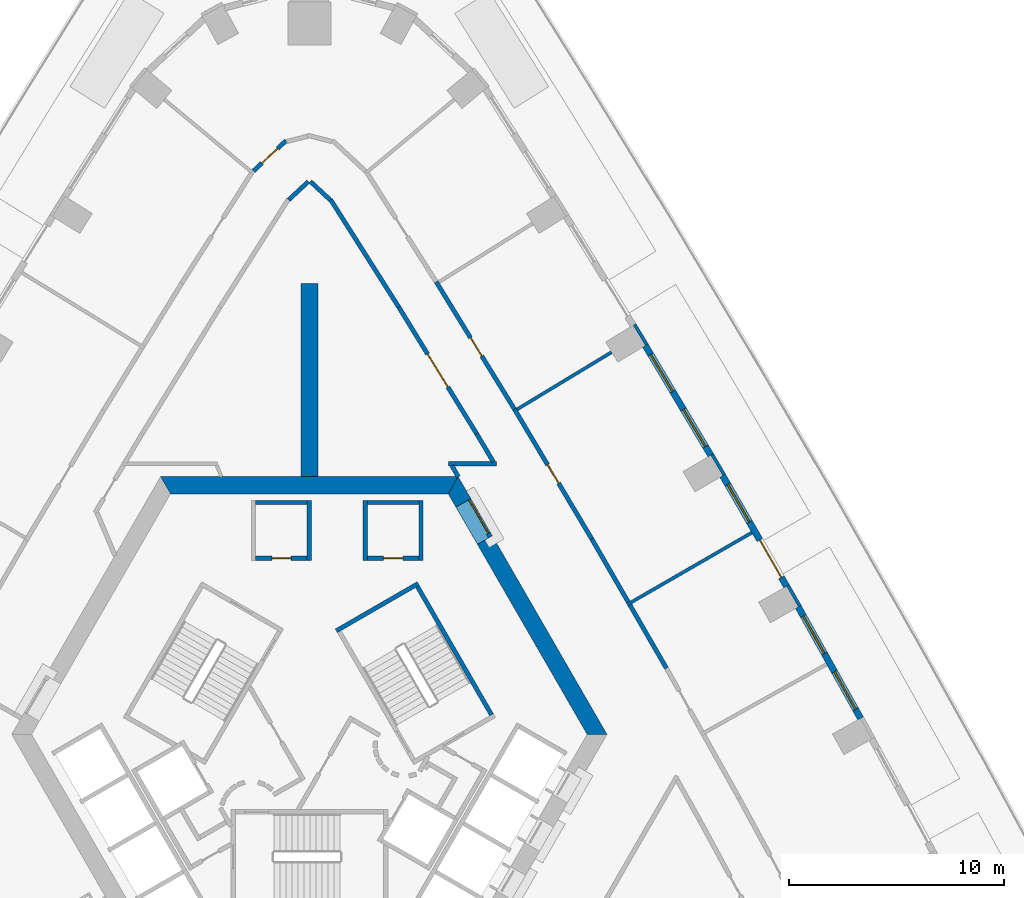
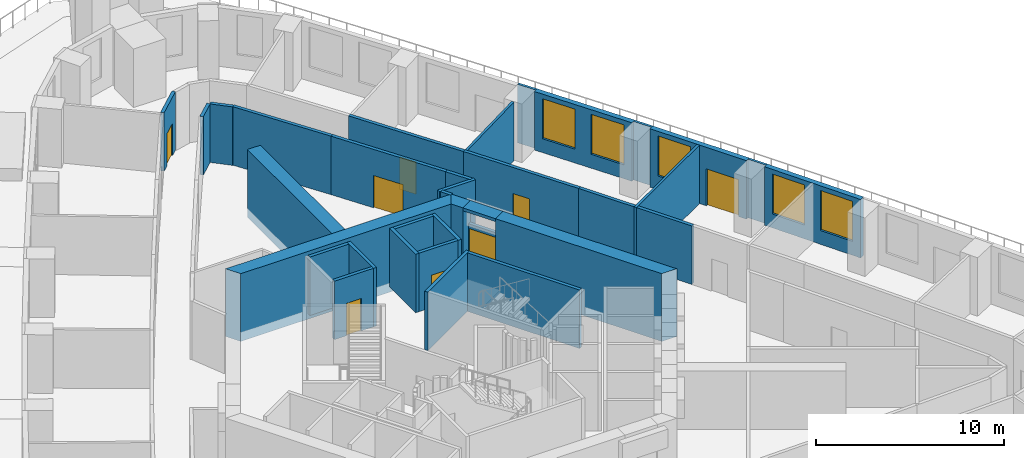
# One storey, part 10 of 16: 35 walls, 8 doors, 5 windows, 13 openings.
"""IFC4 building model written with IfcOpenShell, lengths in metres."""

from ifc_helpers import new_model, si_unit, direction, frame, frame_2d, origin, place, context, subcontext, project, spatial, polyline, rectangle, outline, extrude, material, layer, layer_set, type_object, element, fill, save


model = new_model("IFC4")

# Units and contexts
model_context = context("Model", 3, precision=1e-05, world=origin(), true_north=direction((0.0, 1.0)))
body_context = subcontext(model_context, "Body", "Model", "MODEL_VIEW")
ifc_project = project(units=[si_unit("LENGTHUNIT", "METRE"), si_unit("AREAUNIT", "SQUARE_METRE"), si_unit("VOLUMEUNIT", "CUBIC_METRE"), si_unit("PLANEANGLEUNIT", "RADIAN"), si_unit("MASSUNIT", "GRAM", prefix="KILO")], contexts=[model_context])

# Site, building, storey
site_placement = place(None, origin())
site = spatial("IfcSite", under=ifc_project, at=site_placement, CompositionType="ELEMENT")
building_placement = place(site_placement, origin())
building = spatial("IfcBuilding", under=site, at=building_placement, Name="Entoto Arch Interchange Tower", CompositionType="ELEMENT")
storey_placement = place(building_placement, frame((0.0, 0.0, 138.199951171875)))
storey = spatial("IfcBuildingStorey", under=building, at=storey_placement, Name="L30", CompositionType="ELEMENT", Elevation=138.199951171875)

# Wall
ifc_material_1 = material(Name="Concrete C50/60", Category="concrete")
ifc_layer_1 = layer(ifc_material_1, 0.800048828125)
ifc_layer_set_1 = layer_set([ifc_layer_1], Name="Concrete C50/60")
wall_type_1 = type_object("IfcWallType", Name="Buttress wall 800 C50/60", PredefinedType="SHEAR", material=ifc_layer_set_1)
wall_1_placement = place(storey_placement, frame((0.0, 14.5, -0.599853515625), z_axis=(0.0, 0.0, 1.0), x_axis=(0.0, 1.0, 0.0)))
element("IfcWall", 1, at=wall_1_placement, inside=storey, type_object=wall_type_1, Name="Buttress wall N L30", PredefinedType="SHEAR", context=body_context, shape_type="SweptSolid", body=[
    extrude(rectangle(XDim=9.0, YDim=0.800048828125, at=frame_2d((4.5, 0.0))), origin(), (0.0, 0.0, 1.0), 4.39990234375),
])

# Wall, opening, door
ifc_material_2 = material(Name="Reinforced concrete C40/50", Category="concrete")
ifc_layer_2 = layer(ifc_material_2, 0.199951171875)
ifc_layer_set_2 = layer_set([ifc_layer_2], Name="Reinforced concrete C40/50")
wall_type_2 = type_object("IfcWallType", Name="CORE GAP INFILL WALL", PredefinedType="PARTITIONING", material=ifc_layer_set_2)
wall_2_placement = place(storey_placement, frame((8.429931640625, 11.697998046875, 0.0), z_axis=(0.0, 0.0, 1.0), x_axis=(-0.50002537861, 0.866010750942, 0.0)))
wall_2 = element("IfcWall", 2, at=wall_2_placement, inside=storey, type_object=wall_type_2, Name="wall:L30:gap2", PredefinedType="PARTITIONING", context=body_context, shape_type="SweptSolid", body=[
    extrude(rectangle(XDim=2.0, YDim=0.199951171875, at=frame_2d((1.0, 0.0))), origin(), (0.0, 0.0, 1.0), 2.400146484375),
])
opening_1_placement = place(wall_2_placement, frame((0.18994140625, 0.0, 0.0)))
opening_1 = element("IfcOpeningElement", 3, at=opening_1_placement, cuts=wall_2, Name="Opening L30-D92", PredefinedType="OPENING", context=body_context, shape_type="SweptSolid", body=[
    extrude(rectangle(XDim=1.800048828125, YDim=2.10009765625, at=frame_2d((0.89990234375, 1.050048828125))), frame((0.0, 0.10986328125, 0.0), z_axis=(0.0, -1.0, 0.0), x_axis=(1.0, 0.0, 0.0)), (0.0, 0.0, 1.0), 0.219970703125),
])
ifc_material_3 = material(Name="Fire-rated Steel S235 door and frame", Category="steel")
door_type_1 = type_object("IfcDoorType", Name="DOOR FD-18 1800x2100", OperationType="DOUBLE_DOOR_SINGLE_SWING", PredefinedType="DOOR", material=ifc_material_3)
door_1_placement = place(opening_1_placement, origin())
door_1 = element("IfcDoor", 4, at=door_1_placement, inside=storey, type_object=door_type_1, Name="door:L30:gap2", OperationType="DOUBLE_DOOR_SINGLE_SWING", OverallHeight=2.10009765625, OverallWidth=1.800048828125, PredefinedType="DOOR", context=body_context, shape_type="SweptSolid", body=[
    extrude(rectangle(XDim=1.800048828125, YDim=2.10009765625, at=frame_2d((0.89990234375, 1.050048828125))), frame((0.0, 0.02490234375, 0.0), z_axis=(0.0, -1.0, 0.0), x_axis=(1.0, 0.0, 0.0)), (0.0, 0.0, 1.0), 0.050048828125),
])
fill(opening_1, door_1)

# Walls
ifc_layer_3 = layer(ifc_material_1, 0.800048828125)
ifc_layer_set_3 = layer_set([ifc_layer_3], Name="Concrete C50/60")
wall_type_3 = type_object("IfcWallType", Name="Core wall 800 C50/60", PredefinedType="SHEAR", material=ifc_layer_set_3)
wall_3_placement = place(storey_placement, frame((0.0, 0.0, -0.599853515625)))
element("IfcWall", 5, at=wall_3_placement, inside=storey, type_object=wall_type_3, Name="Core wall NE L30", PredefinedType="SHEAR", context=body_context, shape_type="SweptSolid", body=[
    extrude(outline(polyline([(8.51708984375, 11.748046875), (7.823974609375, 11.347900390625), (12.93310546875, 2.5), (13.85595703125, 2.5), (8.51708984375, 11.748046875)])), origin(), (0.0, 0.0, 1.0), 4.39990234375),
])
wall_4_placement = place(storey_placement, frame((0.0, 0.0, -0.599853515625)))
element("IfcWall", 6, at=wall_4_placement, inside=storey, type_object=wall_type_3, Name="Core wall NE L30", PredefinedType="SHEAR", context=body_context, shape_type="SweptSolid", body=[
    extrude(outline(polyline([(6.823974609375, 13.080078125), (7.51708984375, 13.47998046875), (6.927978515625, 14.5), (6.466064453125, 13.699951171875), (6.823974609375, 13.080078125)])), origin(), (0.0, 0.0, 1.0), 4.39990234375),
])
wall_5_placement = place(storey_placement, frame((0.0, 0.0, 3.60009765625)))
element("IfcWall", 7, at=wall_5_placement, inside=storey, type_object=wall_type_3, Name="Core wall lintel NE L30", PredefinedType="SHEAR", context=body_context, shape_type="SweptSolid", body=[
    extrude(outline(polyline([(7.51708984375, 13.47998046875), (6.823974609375, 13.080078125), (7.823974609375, 11.347900390625), (8.51708984375, 11.748046875), (7.51708984375, 13.47998046875)])), origin(), (0.0, 0.0, 1.0), 0.199951171875),
])
wall_6_placement = place(storey_placement, frame((0.0, 0.0, -0.599853515625)))
element("IfcWall", 8, at=wall_6_placement, inside=storey, type_object=wall_type_3, Name="Core wall N L30", PredefinedType="SHEAR", context=body_context, shape_type="SweptSolid", body=[
    extrude(outline(polyline([(6.927978515625, 14.5), (-6.927978515625, 14.5), (-6.466064453125, 13.699951171875), (6.466064453125, 13.699951171875), (6.927978515625, 14.5)])), origin(), (0.0, 0.0, 1.0), 4.39990234375),
])
ifc_material_4 = material(Name="Gypsum board partition on steel studs", Category="steel")
ifc_layer_4 = layer(ifc_material_4, 0.14990234375)
ifc_layer_set_4 = layer_set([ifc_layer_4], Name="Gypsum board partition on steel studs")
wall_type_4 = type_object("IfcWallType", Name="PARTITION 150", PredefinedType="PARTITIONING", material=ifc_layer_set_4)
wall_7_placement = place(storey_placement, frame((14.798095703125, 8.5439453125, 0.0), z_axis=(0.0, 0.0, 1.0), x_axis=(0.866041788654, 0.4999716195, 0.0)))
element("IfcWall", 9, at=wall_7_placement, inside=storey, type_object=wall_type_4, Name="wall:L30:p128", PredefinedType="PARTITIONING", context=body_context, shape_type="SweptSolid", body=[
    extrude(rectangle(XDim=6.70068359375, YDim=0.14990234375, at=frame_2d((3.350341796875, 0.0))), origin(), (0.0, 0.0, 1.0), 3.800048828125),
])
wall_8_placement = place(storey_placement, frame((9.6708984375, 17.633056640625, 0.0), z_axis=(0.0, 0.0, 1.0), x_axis=(0.855551112805, 0.517718353332, 0.0)))
element("IfcWall", 10, at=wall_8_placement, inside=storey, type_object=wall_type_4, Name="wall:L30:p129", PredefinedType="PARTITIONING", context=body_context, shape_type="SweptSolid", body=[
    extrude(rectangle(XDim=5.130126953125, YDim=0.14990234375, at=frame_2d((2.56494140625, 0.0))), origin(), (0.0, 0.0, 1.0), 3.800048828125),
])
ifc_layer_5 = layer(ifc_material_4, 0.199951171875)
ifc_layer_set_5 = layer_set([ifc_layer_5], Name="Gypsum board partition on steel studs")
wall_type_5 = type_object("IfcWallType", Name="PARTITION 200", PredefinedType="PARTITIONING", material=ifc_layer_set_5)
wall_9_placement = place(storey_placement, frame((6.93701171875, 14.488037109375, 0.0), z_axis=(0.0, 0.0, 1.0), x_axis=(-0.499908430952, 0.866078264744, 0.0)))
element("IfcWall", 11, at=wall_9_placement, inside=storey, type_object=wall_type_5, Name="wall:L30:p003", PredefinedType="PARTITIONING", context=body_context, shape_type="SweptSolid", body=[
    extrude(rectangle(XDim=0.60595703125, YDim=0.199951171875, at=frame_2d((0.302978515625, 0.0))), origin(), (0.0, 0.0, 1.0), 3.800048828125),
])
wall_10_placement = place(storey_placement, frame((6.48388671875, 15.10009765625, 0.0), z_axis=(0.0, 0.0, 1.0), x_axis=(1.0, 0.0, 0.0)))
element("IfcWall", 12, at=wall_10_placement, inside=storey, type_object=wall_type_5, Name="wall:L30:p004", PredefinedType="PARTITIONING", context=body_context, shape_type="SweptSolid", body=[
    extrude(rectangle(XDim=2.236083984375, YDim=0.199951171875, at=frame_2d((1.1181640625, 0.0))), origin(), (0.0, 0.0, 1.0), 3.800048828125),
])
wall_11_placement = place(storey_placement, frame((8.569091796875, 15.18603515625, 0.0), z_axis=(0.0, 0.0, 1.0), x_axis=(-0.512230585803, 0.85884796499, 0.0)))
element("IfcWall", 13, at=wall_11_placement, inside=storey, type_object=wall_type_5, Name="wall:L30:p005", PredefinedType="PARTITIONING", context=body_context, shape_type="SweptSolid", body=[
    extrude(rectangle(XDim=1.522705078125, YDim=0.199951171875, at=frame_2d((0.76123046875, 0.0))), origin(), (0.0, 0.0, 1.0), 3.800048828125),
])

# Wall, opening, door
wall_12_placement = place(storey_placement, frame((7.7890625, 16.493896484375, 0.0), z_axis=(0.0, 0.0, 1.0), x_axis=(-0.523625371849, 0.851948631055, 0.0)))
wall_12 = element("IfcWall", 14, at=wall_12_placement, inside=storey, type_object=wall_type_5, Name="wall:L30:p006", PredefinedType="PARTITIONING", context=body_context, shape_type="SweptSolid", body=[
    extrude(rectangle(XDim=6.926513671875, YDim=0.199951171875, at=frame_2d((3.46337890625, 0.0))), origin(), (0.0, 0.0, 1.0), 3.800048828125),
])
opening_2_placement = place(wall_12_placement, frame((2.56396484375, 0.0, 0.0)))
opening_2 = element("IfcOpeningElement", 15, at=opening_2_placement, cuts=wall_12, Name="Opening L30-D23", PredefinedType="OPENING", context=body_context, shape_type="SweptSolid", body=[
    extrude(rectangle(XDim=1.800048828125, YDim=2.10009765625, at=frame_2d((0.89990234375, 1.050048828125))), frame((0.0, 0.10986328125, 0.0), z_axis=(0.0, -1.0, 0.0), x_axis=(1.0, 0.0, 0.0)), (0.0, 0.0, 1.0), 0.219970703125),
])
ifc_material_5 = material(Name="Timber door leaf in Steel S235 frame", Category="steel")
door_type_2 = type_object("IfcDoorType", Name="DOOR DD-18 1800x2100", OperationType="DOUBLE_DOOR_SINGLE_SWING", PredefinedType="DOOR", material=ifc_material_5)
door_2_placement = place(opening_2_placement, origin())
door_2 = element("IfcDoor", 16, at=door_2_placement, inside=storey, type_object=door_type_2, Name="door:L30:23", OperationType="DOUBLE_DOOR_SINGLE_SWING", OverallHeight=2.10009765625, OverallWidth=1.800048828125, PredefinedType="DOOR", context=body_context, shape_type="SweptSolid", body=[
    extrude(rectangle(XDim=1.800048828125, YDim=2.10009765625, at=frame_2d((0.89990234375, 1.050048828125))), frame((0.0, 0.02490234375, 0.0), z_axis=(0.0, -1.0, 0.0), x_axis=(1.0, 0.0, 0.0)), (0.0, 0.0, 1.0), 0.050048828125),
])
fill(opening_2, door_2)

# Walls
wall_13_placement = place(storey_placement, frame((4.162109375, 22.39501953125, 0.0), z_axis=(0.0, 0.0, 1.0), x_axis=(-0.535496886312, 0.844537201519, 0.0)))
element("IfcWall", 17, at=wall_13_placement, inside=storey, type_object=wall_type_5, Name="wall:L30:p007", PredefinedType="PARTITIONING", context=body_context, shape_type="SweptSolid", body=[
    extrude(rectangle(XDim=5.92724609375, YDim=0.199951171875, at=frame_2d((2.963623046875, 0.0))), origin(), (0.0, 0.0, 1.0), 3.800048828125),
])
for number, where, z_axis, x_axis, name in (
    (18, (0.968017578125, 27.385009765625, 0.0), (0.0, 0.0, 1.0), (-0.732524038911, 0.680741164039, 0.0), "wall:L30:p008"),
    (19, (-0.0458984375, 28.241943359375, 0.0), (0.0, 0.0, 1.0), (-0.732524038911, -0.680741164039, 0.0), "wall:L30:p009"),
):
    element("IfcWall", number, at=place(storey_placement, frame(where, z_axis=z_axis, x_axis=x_axis)), inside=storey, type_object=wall_type_5, Name=name, PredefinedType="PARTITIONING", context=body_context, shape_type="SweptSolid", body=[
        extrude(rectangle(XDim=1.2587890625, YDim=0.199951171875, at=frame_2d((0.62939453125, 0.0))), origin(), (0.0, 0.0, 1.0), 3.800048828125),
    ])
wall_14_placement = place(storey_placement, frame((14.922119140625, 8.529052734375, 0.0), z_axis=(0.0, 0.0, 1.0), x_axis=(0.500097109062, -0.865969330582, 0.0)))
element("IfcWall", 20, at=wall_14_placement, inside=storey, type_object=wall_type_5, Name="wall:L30:p041", PredefinedType="PARTITIONING", context=body_context, shape_type="SweptSolid", body=[
    extrude(rectangle(XDim=3.403076171875, YDim=0.199951171875, at=frame_2d((1.70166015625, 0.0))), origin(), (0.0, 0.0, 1.0), 3.800048828125),
])

# Wall, opening, door
wall_15_placement = place(storey_placement, frame((9.548095703125, 17.64501953125, 0.0), z_axis=(0.0, 0.0, 1.0), x_axis=(0.511822081848, -0.859091471575, 0.0)))
wall_15 = element("IfcWall", 21, at=wall_15_placement, inside=storey, type_object=wall_type_5, Name="wall:L30:p043", PredefinedType="PARTITIONING", context=body_context, shape_type="SweptSolid", body=[
    extrude(rectangle(XDim=7.029541015625, YDim=0.199951171875, at=frame_2d((3.5146484375, 0.0))), origin(), (0.0, 0.0, 1.0), 3.800048828125),
])
opening_3_placement = place(wall_15_placement, frame((3.014892578125, 0.0, 0.0)))
opening_3 = element("IfcOpeningElement", 22, at=opening_3_placement, cuts=wall_15, Name="Opening L30-D07", PredefinedType="OPENING", context=body_context, shape_type="SweptSolid", body=[
    extrude(rectangle(XDim=1.0, YDim=2.10009765625, at=frame_2d((0.5, 1.050048828125))), frame((0.0, 0.10986328125, 0.0), z_axis=(0.0, -1.0, 0.0), x_axis=(1.0, 0.0, 0.0)), (0.0, 0.0, 1.0), 0.219970703125),
])
door_type_3 = type_object("IfcDoorType", Name="DOOR DS-10 1000x2100", OperationType="SINGLE_SWING_LEFT", PredefinedType="DOOR", material=ifc_material_5)
door_3_placement = place(opening_3_placement, origin())
door_3 = element("IfcDoor", 23, at=door_3_placement, inside=storey, type_object=door_type_3, Name="door:L30:07", OperationType="SINGLE_SWING_RIGHT", OverallHeight=2.10009765625, OverallWidth=1.0, PredefinedType="DOOR", context=body_context, shape_type="SweptSolid", body=[
    extrude(rectangle(XDim=1.0, YDim=2.10009765625, at=frame_2d((0.5, 1.050048828125))), frame((0.0, 0.02490234375, 0.0), z_axis=(0.0, -1.0, 0.0), x_axis=(1.0, 0.0, 0.0)), (0.0, 0.0, 1.0), 0.050048828125),
])
fill(opening_3, door_3)

# Wall
wall_16_placement = place(storey_placement, frame((13.14599609375, 11.60595703125, 0.0), z_axis=(0.0, 0.0, 1.0), x_axis=(0.499881871653, -0.866093594476, 0.0)))
element("IfcWall", 24, at=wall_16_placement, inside=storey, type_object=wall_type_5, Name="wall:L30:p044", PredefinedType="PARTITIONING", context=body_context, shape_type="SweptSolid", body=[
    extrude(rectangle(XDim=3.402587890625, YDim=0.199951171875, at=frame_2d((1.701171875, 0.0))), origin(), (0.0, 0.0, 1.0), 3.800048828125),
])

# Wall, opening, door
wall_17_placement = place(storey_placement, frame((5.904052734375, 23.571044921875, 0.0), z_axis=(0.0, 0.0, 1.0), x_axis=(0.523647026552, -0.851935321244, 0.0)))
wall_17 = element("IfcWall", 25, at=wall_17_placement, inside=storey, type_object=wall_type_5, Name="wall:L30:p045", PredefinedType="PARTITIONING", context=body_context, shape_type="SweptSolid", body=[
    extrude(rectangle(XDim=6.95703125, YDim=0.199951171875, at=frame_2d((3.478515625, 0.0))), origin(), (0.0, 0.0, 1.0), 3.800048828125),
])
opening_4_placement = place(wall_17_placement, frame((3.052978515625, 0.0, 0.0)))
opening_4 = element("IfcOpeningElement", 26, at=opening_4_placement, cuts=wall_17, Name="Opening L30-D08", PredefinedType="OPENING", context=body_context, shape_type="SweptSolid", body=[
    extrude(rectangle(XDim=1.0, YDim=2.10009765625, at=frame_2d((0.5, 1.050048828125))), frame((0.0, 0.10986328125, 0.0), z_axis=(0.0, -1.0, 0.0), x_axis=(1.0, 0.0, 0.0)), (0.0, 0.0, 1.0), 0.219970703125),
])
door_4_placement = place(opening_4_placement, origin())
door_4 = element("IfcDoor", 27, at=door_4_placement, inside=storey, type_object=door_type_3, Name="door:L30:08", OperationType="SINGLE_SWING_LEFT", OverallHeight=2.10009765625, OverallWidth=1.0, PredefinedType="DOOR", context=body_context, shape_type="SweptSolid", body=[
    extrude(rectangle(XDim=1.0, YDim=2.10009765625, at=frame_2d((0.5, 1.050048828125))), frame((0.0, 0.02490234375, 0.0), z_axis=(0.0, -1.0, 0.0), x_axis=(1.0, 0.0, 0.0)), (0.0, 0.0, 1.0), 0.050048828125),
])
fill(opening_4, door_4)

wall_18_placement = place(storey_placement, frame((-2.596923828125, 28.738037109375, 0.0), z_axis=(0.0, 0.0, 1.0), x_axis=(0.73206471367, 0.681235095249, 0.0)))
wall_18 = element("IfcWall", 28, at=wall_18_placement, inside=storey, type_object=wall_type_5, Name="wall:L30:p047", PredefinedType="PARTITIONING", context=body_context, shape_type="SweptSolid", body=[
    extrude(rectangle(XDim=2.0654296875, YDim=0.199951171875, at=frame_2d((1.03271484375, 0.0))), origin(), (0.0, 0.0, 1.0), 3.800048828125),
])
opening_5_placement = place(wall_18_placement, frame((0.531982421875, 0.0, 0.0)))
opening_5 = element("IfcOpeningElement", 29, at=opening_5_placement, cuts=wall_18, Name="Opening L30-D10", PredefinedType="OPENING", context=body_context, shape_type="SweptSolid", body=[
    extrude(rectangle(XDim=1.0, YDim=2.10009765625, at=frame_2d((0.5, 1.050048828125))), frame((0.0, 0.10986328125, 0.0), z_axis=(0.0, -1.0, 0.0), x_axis=(1.0, 0.0, 0.0)), (0.0, 0.0, 1.0), 0.219970703125),
])
door_5_placement = place(opening_5_placement, origin())
door_5 = element("IfcDoor", 30, at=door_5_placement, inside=storey, type_object=door_type_3, Name="door:L30:10", OperationType="SINGLE_SWING_LEFT", OverallHeight=2.10009765625, OverallWidth=1.0, PredefinedType="DOOR", context=body_context, shape_type="SweptSolid", body=[
    extrude(rectangle(XDim=1.0, YDim=2.10009765625, at=frame_2d((0.5, 1.050048828125))), frame((0.0, 0.02490234375, 0.0), z_axis=(0.0, -1.0, 0.0), x_axis=(1.0, 0.0, 0.0)), (0.0, 0.0, 1.0), 0.050048828125),
])
fill(opening_5, door_5)

# Wall
wall_19_placement = place(storey_placement, frame((5.199951171875, 13.39990234375, 0.0), z_axis=(0.0, 0.0, 1.0), x_axis=(0.0, -1.0, 0.0)))
element("IfcWall", 31, at=wall_19_placement, inside=storey, type_object=wall_type_5, Name="wall:L30:p066", PredefinedType="PARTITIONING", context=body_context, shape_type="SweptSolid", body=[
    extrude(rectangle(XDim=2.7998046875, YDim=0.199951171875, at=frame_2d((1.39990234375, 0.0))), origin(), (0.0, 0.0, 1.0), 3.800048828125),
])

# Wall, opening, door
wall_20_placement = place(storey_placement, frame((5.10009765625, 10.699951171875, 0.0), z_axis=(0.0, 0.0, 1.0), x_axis=(-1.0, 0.0, 0.0)))
wall_20 = element("IfcWall", 32, at=wall_20_placement, inside=storey, type_object=wall_type_5, Name="wall:L30:p067", PredefinedType="PARTITIONING", context=body_context, shape_type="SweptSolid", body=[
    extrude(rectangle(XDim=2.400146484375, YDim=0.199951171875, at=frame_2d((1.2001953125, 0.0))), origin(), (0.0, 0.0, 1.0), 3.800048828125),
])
opening_6_placement = place(wall_20_placement, frame((0.75, 0.0, 0.0)))
opening_6 = element("IfcOpeningElement", 33, at=opening_6_placement, cuts=wall_20, Name="Opening L30-D33", PredefinedType="OPENING", context=body_context, shape_type="SweptSolid", body=[
    extrude(rectangle(XDim=0.89990234375, YDim=2.10009765625, at=frame_2d((0.449951171875, 1.050048828125))), frame((0.0, 0.10986328125, 0.0), z_axis=(0.0, -1.0, 0.0), x_axis=(1.0, 0.0, 0.0)), (0.0, 0.0, 1.0), 0.219970703125),
])
door_type_4 = type_object("IfcDoorType", Name="DOOR DS-09 900x2100", OperationType="SINGLE_SWING_LEFT", PredefinedType="DOOR", material=ifc_material_5)
door_6_placement = place(opening_6_placement, origin())
door_6 = element("IfcDoor", 34, at=door_6_placement, inside=storey, type_object=door_type_4, Name="door:L30:33", OperationType="SINGLE_SWING_RIGHT", OverallHeight=2.10009765625, OverallWidth=0.89990234375, PredefinedType="DOOR", context=body_context, shape_type="SweptSolid", body=[
    extrude(rectangle(XDim=0.89990234375, YDim=2.10009765625, at=frame_2d((0.449951171875, 1.050048828125))), frame((0.0, 0.02490234375, 0.0), z_axis=(0.0, -1.0, 0.0), x_axis=(1.0, 0.0, 0.0)), (0.0, 0.0, 1.0), 0.050048828125),
])
fill(opening_6, door_6)

# Walls
wall_21_placement = place(storey_placement, frame((2.60009765625, 10.60009765625, 0.0), z_axis=(0.0, 0.0, 1.0), x_axis=(0.0, 1.0, 0.0)))
element("IfcWall", 35, at=wall_21_placement, inside=storey, type_object=wall_type_5, Name="wall:L30:p068", PredefinedType="PARTITIONING", context=body_context, shape_type="SweptSolid", body=[
    extrude(rectangle(XDim=2.7998046875, YDim=0.199951171875, at=frame_2d((1.39990234375, 0.0))), origin(), (0.0, 0.0, 1.0), 3.800048828125),
])
wall_22_placement = place(storey_placement, frame((2.699951171875, 13.300048828125, 0.0), z_axis=(0.0, 0.0, 1.0), x_axis=(1.0, 0.0, 0.0)))
element("IfcWall", 36, at=wall_22_placement, inside=storey, type_object=wall_type_5, Name="wall:L30:p069", PredefinedType="PARTITIONING", context=body_context, shape_type="SweptSolid", body=[
    extrude(rectangle(XDim=2.400146484375, YDim=0.199951171875, at=frame_2d((1.2001953125, 0.0))), origin(), (0.0, 0.0, 1.0), 3.800048828125),
])
wall_23_placement = place(storey_placement, frame((0.0, 13.39990234375, 0.0), z_axis=(0.0, 0.0, 1.0), x_axis=(0.0, -1.0, 0.0)))
element("IfcWall", 37, at=wall_23_placement, inside=storey, type_object=wall_type_5, Name="wall:L30:p070", PredefinedType="PARTITIONING", context=body_context, shape_type="SweptSolid", body=[
    extrude(rectangle(XDim=2.7998046875, YDim=0.199951171875, at=frame_2d((1.39990234375, 0.0))), origin(), (0.0, 0.0, 1.0), 3.800048828125),
])

# Wall, opening, door
wall_24_placement = place(storey_placement, frame((-0.10009765625, 10.699951171875, 0.0), z_axis=(0.0, 0.0, 1.0), x_axis=(-1.0, 0.0, 0.0)))
wall_24 = element("IfcWall", 38, at=wall_24_placement, inside=storey, type_object=wall_type_5, Name="wall:L30:p071", PredefinedType="PARTITIONING", context=body_context, shape_type="SweptSolid", body=[
    extrude(rectangle(XDim=2.39990234375, YDim=0.199951171875, at=frame_2d((1.199951171875, 0.0))), origin(), (0.0, 0.0, 1.0), 3.800048828125),
])
opening_7_placement = place(wall_24_placement, frame((0.75, 0.0, 0.0)))
opening_7 = element("IfcOpeningElement", 39, at=opening_7_placement, cuts=wall_24, Name="Opening L30-D34", PredefinedType="OPENING", context=body_context, shape_type="SweptSolid", body=[
    extrude(rectangle(XDim=0.89990234375, YDim=2.10009765625, at=frame_2d((0.449951171875, 1.050048828125))), frame((0.0, 0.10986328125, 0.0), z_axis=(0.0, -1.0, 0.0), x_axis=(1.0, 0.0, 0.0)), (0.0, 0.0, 1.0), 0.219970703125),
])
door_7_placement = place(opening_7_placement, origin())
door_7 = element("IfcDoor", 40, at=door_7_placement, inside=storey, type_object=door_type_4, Name="door:L30:34", OperationType="SINGLE_SWING_RIGHT", OverallHeight=2.10009765625, OverallWidth=0.89990234375, PredefinedType="DOOR", context=body_context, shape_type="SweptSolid", body=[
    extrude(rectangle(XDim=0.89990234375, YDim=2.10009765625, at=frame_2d((0.449951171875, 1.050048828125))), frame((0.0, 0.02490234375, 0.0), z_axis=(0.0, -1.0, 0.0), x_axis=(1.0, 0.0, 0.0)), (0.0, 0.0, 1.0), 0.050048828125),
])
fill(opening_7, door_7)

# Walls
wall_25_placement = place(storey_placement, frame((-2.5, 13.300048828125, 0.0), z_axis=(0.0, 0.0, 1.0), x_axis=(1.0, 0.0, 0.0)))
element("IfcWall", 41, at=wall_25_placement, inside=storey, type_object=wall_type_5, Name="wall:L30:p073", PredefinedType="PARTITIONING", context=body_context, shape_type="SweptSolid", body=[
    extrude(rectangle(XDim=2.39990234375, YDim=0.199951171875, at=frame_2d((1.199951171875, 0.0))), origin(), (0.0, 0.0, 1.0), 3.800048828125),
])
ifc_material_6 = material(Name="Concrete C40/50", Category="concrete")
ifc_layer_6 = layer(ifc_material_6, 0.199951171875)
ifc_layer_set_6 = layer_set([ifc_layer_6], Name="Concrete C40/50")
wall_type_6 = type_object("IfcWallType", Name="STAIR ENCLOSURE WALL 200", PredefinedType="STANDARD", material=ifc_layer_set_6)
wall_26_placement = place(storey_placement, frame((1.256103515625, 7.323974609375, 0.0), z_axis=(0.0, 0.0, 1.0), x_axis=(0.866046073146, 0.499964197906, 0.0)))
element("IfcWall", 42, at=wall_26_placement, inside=storey, type_object=wall_type_6, Name="Stair wall ST-NE far", PredefinedType="STANDARD", context=body_context, shape_type="SweptSolid", body=[
    extrude(rectangle(XDim=4.400146484375, YDim=0.199951171875, at=frame_2d((2.2001953125, 0.0))), origin(), (0.0, 0.0, 1.0), 3.800048828125),
])
wall_27_placement = place(storey_placement, frame((8.47998046875, 3.412109375, 0.0), z_axis=(0.0, 0.0, 1.0), x_axis=(-0.499978703459, 0.866037698999, 0.0)))
element("IfcWall", 43, at=wall_27_placement, inside=storey, type_object=wall_type_6, Name="Stair wall ST-NE back", PredefinedType="STANDARD", context=body_context, shape_type="SweptSolid", body=[
    extrude(rectangle(XDim=6.900146484375, YDim=0.199951171875, at=frame_2d((3.4501953125, 0.0))), origin(), (0.0, 0.0, 1.0), 3.800048828125),
])

# Wall, openings, windows
ifc_material_7 = material(Name="Welded tuff (ignimbrite) cladding, warm buff", Category="masonry")
ifc_layer_7 = layer(ifc_material_7, 0.300048828125)
ifc_layer_set_7 = layer_set([ifc_layer_7], Name="Welded tuff (ignimbrite) cladding, warm buff")
wall_type_7 = type_object("IfcWallType", Name="STONE INFILL WALL 300", PredefinedType="STANDARD", material=ifc_layer_set_7)
wall_28_placement = place(storey_placement, frame((25.6650390625, 3.243896484375, 0.0), z_axis=(0.0, 0.0, 1.0), x_axis=(-0.488009846284, 0.872838123555, 0.0)))
wall_28 = element("IfcWall", 44, at=wall_28_placement, inside=storey, type_object=wall_type_7, Name="Facade wall NE-03 L30", PredefinedType="STANDARD", context=body_context, shape_type="SweptSolid", body=[
    extrude(rectangle(XDim=5.950927734375, YDim=0.300048828125, at=frame_2d((2.9755859375, 0.0))), origin(), (0.0, 0.0, 1.0), 3.800048828125),
])
opening_8_placement = place(wall_28_placement, frame((0.488037109375, 0.0, 0.89990234375)))
opening_8 = element("IfcOpeningElement", 45, at=opening_8_placement, cuts=wall_28, Name="Opening WO-C", PredefinedType="OPENING", context=body_context, shape_type="SweptSolid", body=[
    extrude(rectangle(XDim=2.0, YDim=2.60009765625, at=frame_2d((1.0, 1.300048828125))), frame((0.0, 0.16015625, 0.0), z_axis=(0.0, -1.0, 0.0), x_axis=(1.0, 0.0, 0.0)), (0.0, 0.0, 1.0), 0.320068359375),
])
opening_9_placement = place(wall_28_placement, frame((3.462890625, 0.0, 0.89990234375)))
opening_9 = element("IfcOpeningElement", 46, at=opening_9_placement, cuts=wall_28, Name="Opening WO-C", PredefinedType="OPENING", context=body_context, shape_type="SweptSolid", body=[
    extrude(rectangle(XDim=2.0, YDim=2.60009765625, at=frame_2d((1.0, 1.300048828125))), frame((0.0, 0.16015625, 0.0), z_axis=(0.0, -1.0, 0.0), x_axis=(1.0, 0.0, 0.0)), (0.0, 0.0, 1.0), 0.320068359375),
])
ifc_material_8 = material(Name="Clear glass, low-e double glazed", Category="glass")
window_type = type_object("IfcWindowType", Name="WINDOW WO-C 2000x2600", PartitioningType="DOUBLE_PANEL_VERTICAL", PredefinedType="WINDOW", material=ifc_material_8)
window_1_placement = place(opening_8_placement, origin())
window_1 = element("IfcWindow", 47, at=window_1_placement, inside=storey, type_object=window_type, Name="Window WO-C NE-03 L30", OverallHeight=2.60009765625, OverallWidth=2.0, PartitioningType="SINGLE_PANEL", PredefinedType="WINDOW", context=body_context, shape_type="SweptSolid", body=[
    extrude(rectangle(XDim=2.0, YDim=2.60009765625, at=frame_2d((1.0, 1.300048828125))), frame((0.0, 0.030029296875, 0.0), z_axis=(0.0, -1.0, 0.0), x_axis=(1.0, 0.0, 0.0)), (0.0, 0.0, 1.0), 0.06005859375),
])
fill(opening_8, window_1)
window_2_placement = place(opening_9_placement, origin())
window_2 = element("IfcWindow", 48, at=window_2_placement, inside=storey, type_object=window_type, Name="Window WO-C NE-03 L30", OverallHeight=2.60009765625, OverallWidth=2.0, PartitioningType="SINGLE_PANEL", PredefinedType="WINDOW", context=body_context, shape_type="SweptSolid", body=[
    extrude(rectangle(XDim=2.0, YDim=2.60009765625, at=frame_2d((1.0, 1.300048828125))), frame((0.0, 0.030029296875, 0.0), z_axis=(0.0, -1.0, 0.0), x_axis=(1.0, 0.0, 0.0)), (0.0, 0.0, 1.0), 0.06005859375),
])
fill(opening_9, window_2)

# Wall, openings, door, window
wall_29_placement = place(storey_placement, frame((22.218017578125, 9.39208984375, 0.0), z_axis=(0.0, 0.0, 1.0), x_axis=(-0.49994263896, 0.866058518664, 0.0)))
wall_29 = element("IfcWall", 49, at=wall_29_placement, inside=storey, type_object=wall_type_7, Name="Facade wall NE-04 L30", PredefinedType="STANDARD", context=body_context, shape_type="SweptSolid", body=[
    extrude(rectangle(XDim=5.950927734375, YDim=0.300048828125, at=frame_2d((2.9755859375, 0.0))), origin(), (0.0, 0.0, 1.0), 3.800048828125),
])
opening_10_placement = place(wall_29_placement, frame((0.488037109375, 0.0, 0.0)))
opening_10 = element("IfcOpeningElement", 50, at=opening_10_placement, cuts=wall_29, Name="Opening DT-NE-04-L30", PredefinedType="OPENING", context=body_context, shape_type="SweptSolid", body=[
    extrude(rectangle(XDim=2.0, YDim=2.39990234375, at=frame_2d((1.0, 1.199951171875))), frame((0.0, 0.16015625, 0.0), z_axis=(0.0, -1.0, 0.0), x_axis=(1.0, 0.0, 0.0)), (0.0, 0.0, 1.0), 0.320068359375),
])
opening_11_placement = place(wall_29_placement, frame((3.462890625, 0.0, 0.89990234375)))
opening_11 = element("IfcOpeningElement", 51, at=opening_11_placement, cuts=wall_29, Name="Opening WO-C", PredefinedType="OPENING", context=body_context, shape_type="SweptSolid", body=[
    extrude(rectangle(XDim=2.0, YDim=2.60009765625, at=frame_2d((1.0, 1.300048828125))), frame((0.0, 0.16015625, 0.0), z_axis=(0.0, -1.0, 0.0), x_axis=(1.0, 0.0, 0.0)), (0.0, 0.0, 1.0), 0.320068359375),
])
ifc_material_9 = material(Name="Aluminium and clear glass, anodised", Category="aluminium")
door_type_5 = type_object("IfcDoorType", Name="TERRACE DOOR DT 2000x2400", OperationType="SLIDING_TO_LEFT", PredefinedType="DOOR", material=ifc_material_9)
door_8_placement = place(opening_10_placement, origin())
door_8 = element("IfcDoor", 52, at=door_8_placement, inside=storey, type_object=door_type_5, Name="Terrace door NE-04 L30", OperationType="SLIDING_TO_LEFT", OverallHeight=2.39990234375, OverallWidth=2.0, PredefinedType="DOOR", context=body_context, shape_type="SweptSolid", body=[
    extrude(rectangle(XDim=2.0, YDim=2.39990234375, at=frame_2d((1.0, 1.199951171875))), frame((0.0, 0.02490234375, 0.0), z_axis=(0.0, -1.0, 0.0), x_axis=(1.0, 0.0, 0.0)), (0.0, 0.0, 1.0), 0.050048828125),
])
fill(opening_10, door_8)
window_3_placement = place(opening_11_placement, origin())
window_3 = element("IfcWindow", 53, at=window_3_placement, inside=storey, type_object=window_type, Name="Window WO-C NE-04 L30", OverallHeight=2.60009765625, OverallWidth=2.0, PartitioningType="SINGLE_PANEL", PredefinedType="WINDOW", context=body_context, shape_type="SweptSolid", body=[
    extrude(rectangle(XDim=2.0, YDim=2.60009765625, at=frame_2d((1.0, 1.300048828125))), frame((0.0, 0.030029296875, 0.0), z_axis=(0.0, -1.0, 0.0), x_axis=(1.0, 0.0, 0.0)), (0.0, 0.0, 1.0), 0.06005859375),
])
fill(opening_11, window_3)

# Wall, openings, windows
wall_30_placement = place(storey_placement, frame((18.68798828125, 15.492919921875, 0.0), z_axis=(0.0, 0.0, 1.0), x_axis=(-0.511856715331, 0.859070836992, 0.0)))
wall_30 = element("IfcWall", 54, at=wall_30_placement, inside=storey, type_object=wall_type_7, Name="Facade wall NE-05 L30", PredefinedType="STANDARD", context=body_context, shape_type="SweptSolid", body=[
    extrude(rectangle(XDim=5.95068359375, YDim=0.300048828125, at=frame_2d((2.975341796875, 0.0))), origin(), (0.0, 0.0, 1.0), 3.800048828125),
])
opening_12_placement = place(wall_30_placement, frame((0.488037109375, 0.0, 0.89990234375)))
opening_12 = element("IfcOpeningElement", 55, at=opening_12_placement, cuts=wall_30, Name="Opening WO-C", PredefinedType="OPENING", context=body_context, shape_type="SweptSolid", body=[
    extrude(rectangle(XDim=2.0, YDim=2.60009765625, at=frame_2d((1.0, 1.300048828125))), frame((0.0, 0.16015625, 0.0), z_axis=(0.0, -1.0, 0.0), x_axis=(1.0, 0.0, 0.0)), (0.0, 0.0, 1.0), 0.320068359375),
])
opening_13_placement = place(wall_30_placement, frame((3.462890625, 0.0, 0.89990234375)))
opening_13 = element("IfcOpeningElement", 56, at=opening_13_placement, cuts=wall_30, Name="Opening WO-C", PredefinedType="OPENING", context=body_context, shape_type="SweptSolid", body=[
    extrude(rectangle(XDim=2.0, YDim=2.60009765625, at=frame_2d((1.0, 1.300048828125))), frame((0.0, 0.16015625, 0.0), z_axis=(0.0, -1.0, 0.0), x_axis=(1.0, 0.0, 0.0)), (0.0, 0.0, 1.0), 0.320068359375),
])
window_4_placement = place(opening_12_placement, origin())
window_4 = element("IfcWindow", 57, at=window_4_placement, inside=storey, type_object=window_type, Name="Window WO-C NE-05 L30", OverallHeight=2.60009765625, OverallWidth=2.0, PartitioningType="SINGLE_PANEL", PredefinedType="WINDOW", context=body_context, shape_type="SweptSolid", body=[
    extrude(rectangle(XDim=2.0, YDim=2.60009765625, at=frame_2d((1.0, 1.300048828125))), frame((0.0, 0.030029296875, 0.0), z_axis=(0.0, -1.0, 0.0), x_axis=(1.0, 0.0, 0.0)), (0.0, 0.0, 1.0), 0.06005859375),
])
fill(opening_12, window_4)
window_5_placement = place(opening_13_placement, origin())
window_5 = element("IfcWindow", 58, at=window_5_placement, inside=storey, type_object=window_type, Name="Window WO-C NE-05 L30", OverallHeight=2.60009765625, OverallWidth=2.0, PartitioningType="SINGLE_PANEL", PredefinedType="WINDOW", context=body_context, shape_type="SweptSolid", body=[
    extrude(rectangle(XDim=2.0, YDim=2.60009765625, at=frame_2d((1.0, 1.300048828125))), frame((0.0, 0.030029296875, 0.0), z_axis=(0.0, -1.0, 0.0), x_axis=(1.0, 0.0, 0.0)), (0.0, 0.0, 1.0), 0.06005859375),
])
fill(opening_13, window_5)

# Walls
ifc_layer_8 = layer(ifc_material_7, 0.14990234375)
ifc_layer_set_8 = layer_set([ifc_layer_8], Name="Welded tuff (ignimbrite) cladding, warm buff")
wall_type_8 = type_object("IfcWallType", Name="STONE PIER CLADDING 150", PredefinedType="STANDARD", material=ifc_layer_set_8)
wall_31_placement = place(storey_placement, frame((22.830078125, 8.47607421875, 0.0), z_axis=(0.0, 0.0, 1.0), x_axis=(-0.494775760346, 0.869020682708, 0.0)))
element("IfcWall", 59, at=wall_31_placement, inside=storey, type_object=wall_type_8, Name="Stone pier NE04 L30", PredefinedType="STANDARD", context=body_context, shape_type="SweptSolid", body=[
    extrude(rectangle(XDim=1.099853515625, YDim=0.14990234375, at=frame_2d((0.5498046875, 0.0))), origin(), (0.0, 0.0, 1.0), 3.800048828125),
])
wall_32_placement = place(storey_placement, frame((19.31201171875, 14.5849609375, 0.0), z_axis=(0.0, 0.0, 1.0), x_axis=(-0.50667077411, 0.862139621327, 0.0)))
element("IfcWall", 60, at=wall_32_placement, inside=storey, type_object=wall_type_8, Name="Stone pier NE05 L30", PredefinedType="STANDARD", context=body_context, shape_type="SweptSolid", body=[
    extrude(rectangle(XDim=1.099609375, YDim=0.14990234375, at=frame_2d((0.5498046875, 0.0))), origin(), (0.0, 0.0, 1.0), 3.800048828125),
])
wall_33_placement = place(storey_placement, frame((15.7099609375, 20.64501953125, 0.0), z_axis=(0.0, 0.0, 1.0), x_axis=(-0.518178754102, 0.855272341888, 0.0)))
element("IfcWall", 61, at=wall_33_placement, inside=storey, type_object=wall_type_8, Name="Stone pier NE06 L30", PredefinedType="STANDARD", context=body_context, shape_type="SweptSolid", body=[
    extrude(rectangle(XDim=1.10009765625, YDim=0.14990234375, at=frame_2d((0.550048828125, 0.0))), origin(), (0.0, 0.0, 1.0), 3.800048828125),
])

save(model, "model.ifc")
